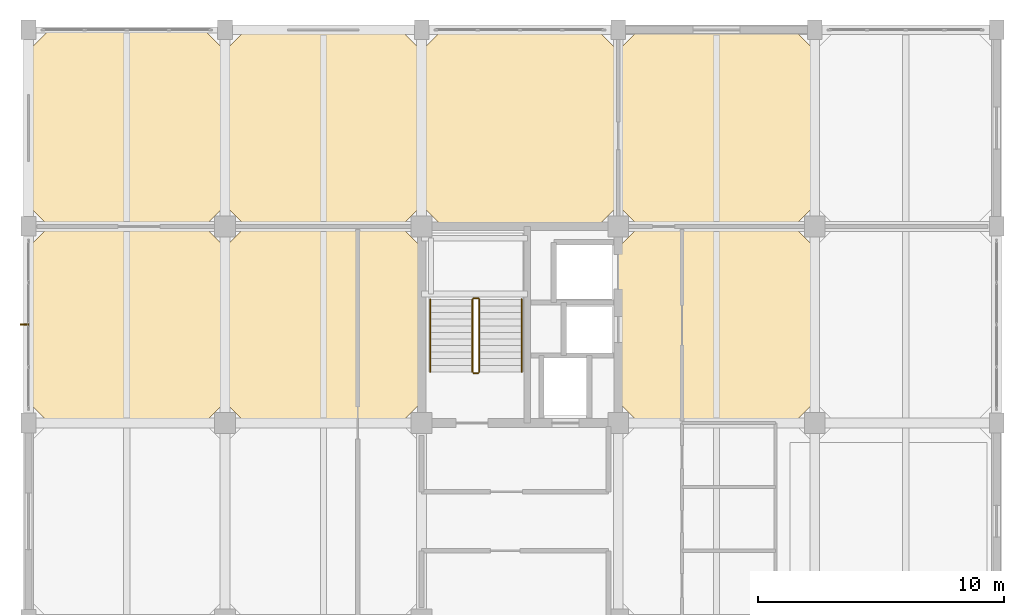
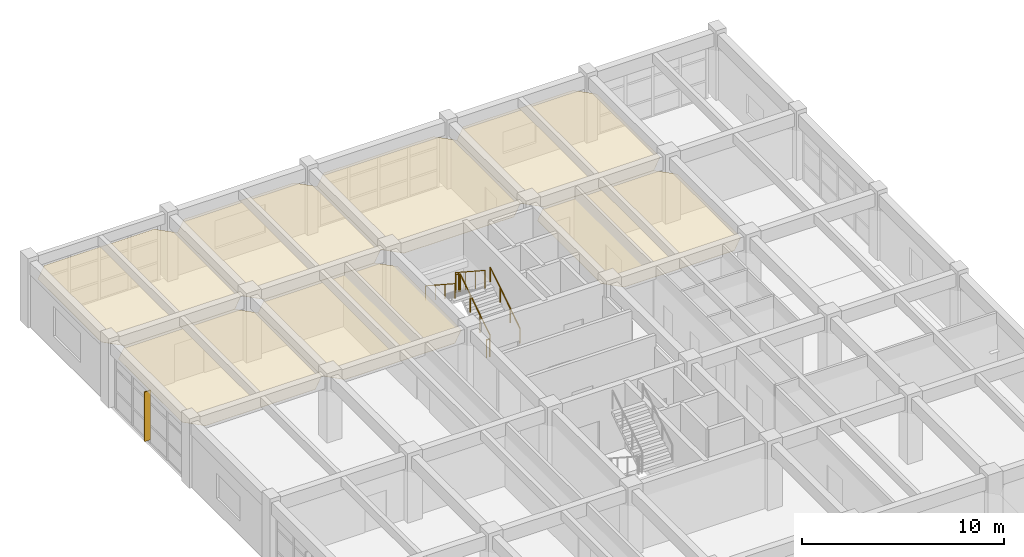
# One storey, part 26 of 27: 7 coverings, 6 railings, 1 shading device.
"""IFC4 building model written with IfcOpenShell, lengths in metres."""

from ifc_helpers import new_model, si_unit, direction, frame, origin, origin_2d, place, context, subcontext, project, spatial, polyline, rectangle, circle, outline, extrude, material, layer, layer_set, type_object, element, save


model = new_model("IFC4")

# Units and contexts
model_context = context("Model", 3, precision=1e-05, world=origin(), true_north=direction((0.0, 1.0)))
body_context = subcontext(model_context, "Body", "Model", "MODEL_VIEW")
ifc_project = project(units=[si_unit("LENGTHUNIT", "METRE"), si_unit("AREAUNIT", "SQUARE_METRE"), si_unit("VOLUMEUNIT", "CUBIC_METRE"), si_unit("PLANEANGLEUNIT", "RADIAN"), si_unit("MASSUNIT", "GRAM", prefix="KILO")], contexts=[model_context])

# Site, building, storey
site_placement = place(None, origin())
site = spatial("IfcSite", under=ifc_project, at=site_placement, CompositionType="ELEMENT")
building_placement = place(site_placement, origin())
building = spatial("IfcBuilding", under=site, at=building_placement, Name="Canggui Botanical Conservatory", CompositionType="ELEMENT")
storey_placement = place(building_placement, frame((0.0, 0.0, 23.39990234375)))
storey = spatial("IfcBuildingStorey", under=building, at=storey_placement, Name="L06", CompositionType="ELEMENT", Elevation=23.39990234375)

# Coverings
ifc_material_1 = material(Name="Mineral Fibre Acoustic Board")
ifc_layer_1 = layer(ifc_material_1, 0.014892578125, Name="Mineral Fibre Acoustic Board")
ifc_layer_set_1 = layer_set([ifc_layer_1], Name="Mineral Fibre Acoustic Board")
covering_type_1 = type_object("IfcCoveringType", Name="COV-CEIL-15", PredefinedType="CEILING", material=ifc_layer_set_1)
covering_1_placement = place(storey_placement, frame((0.0, 0.0, 3.14501953125)))
element("IfcCovering", 1, at=covering_1_placement, inside=storey, type_object=covering_type_1, Name="Suspended Acoustic Ceiling L06-138-58", PredefinedType="CEILING", context=body_context, shape_type="SweptSolid", body=[
    extrude(outline(polyline([(138.85009765625, 58.0), (145.14990234375, 58.0), (146.0, 58.85009765625), (146.0, 65.14990234375), (145.14990234375, 66.0), (138.85009765625, 66.0), (138.0, 65.14990234375), (138.0, 58.85009765625), (138.85009765625, 58.0)])), origin(), (0.0, 0.0, 1.0), 0.01513671875),
])
covering_2_placement = place(storey_placement, frame((0.0, 0.0, 3.14501953125)))
element("IfcCovering", 2, at=covering_2_placement, inside=storey, type_object=covering_type_1, Name="Suspended Acoustic Ceiling L06-146-66", PredefinedType="CEILING", context=body_context, shape_type="SweptSolid", body=[
    extrude(outline(polyline([(146.85009765625, 66.0), (153.14990234375, 66.0), (154.0, 66.85009765625), (154.0, 73.14990234375), (153.14990234375, 74.0), (146.85009765625, 74.0), (146.0, 73.14990234375), (146.0, 66.85009765625), (146.85009765625, 66.0)])), origin(), (0.0, 0.0, 1.0), 0.01513671875),
])
covering_3_placement = place(storey_placement, frame((0.0, 0.0, 3.14501953125)))
element("IfcCovering", 3, at=covering_3_placement, inside=storey, type_object=covering_type_1, Name="Suspended Acoustic Ceiling L06-162-66", PredefinedType="CEILING", context=body_context, shape_type="SweptSolid", body=[
    extrude(outline(polyline([(162.85009765625, 66.0), (169.14990234375, 66.0), (170.0, 66.85009765625), (170.0, 73.14990234375), (169.14990234375, 74.0), (162.85009765625, 74.0), (162.0, 73.14990234375), (162.0, 66.85009765625), (162.85009765625, 66.0)])), origin(), (0.0, 0.0, 1.0), 0.01513671875),
])
ifc_material_2 = material(Name="Perforated Gypsum Acoustic Panel")
ifc_layer_2 = layer(ifc_material_2, 0.02001953125, Name="Perforated Gypsum Acoustic Panel")
ifc_layer_set_2 = layer_set([ifc_layer_2], Name="Perforated Gypsum Acoustic Panel")
covering_type_2 = type_object("IfcCoveringType", Name="COV-CEIL-20", PredefinedType="CEILING", material=ifc_layer_set_2)
covering_4_placement = place(storey_placement, frame((0.0, 0.0, 3.14013671875)))
element("IfcCovering", 4, at=covering_4_placement, inside=storey, type_object=covering_type_2, Name="Suspended Acoustic Ceiling L06-138-66", PredefinedType="CEILING", context=body_context, shape_type="SweptSolid", body=[
    extrude(outline(polyline([(138.85009765625, 66.0), (145.14990234375, 66.0), (146.0, 66.85009765625), (146.0, 73.14990234375), (145.14990234375, 74.0), (138.85009765625, 74.0), (138.0, 73.14990234375), (138.0, 66.85009765625), (138.85009765625, 66.0)])), origin(), (0.0, 0.0, 1.0), 0.02001953125),
])
covering_5_placement = place(storey_placement, frame((0.0, 0.0, 3.14013671875)))
element("IfcCovering", 5, at=covering_5_placement, inside=storey, type_object=covering_type_2, Name="Suspended Acoustic Ceiling L06-146-58", PredefinedType="CEILING", context=body_context, shape_type="SweptSolid", body=[
    extrude(outline(polyline([(146.85009765625, 58.0), (153.14990234375, 58.0), (154.0, 58.85009765625), (154.0, 65.14990234375), (153.14990234375, 66.0), (146.85009765625, 66.0), (146.0, 65.14990234375), (146.0, 58.85009765625), (146.85009765625, 58.0)])), origin(), (0.0, 0.0, 1.0), 0.02001953125),
])
covering_6_placement = place(storey_placement, frame((0.0, 0.0, 3.14013671875)))
element("IfcCovering", 6, at=covering_6_placement, inside=storey, type_object=covering_type_2, Name="Suspended Acoustic Ceiling L06-154-66", PredefinedType="CEILING", context=body_context, shape_type="SweptSolid", body=[
    extrude(outline(polyline([(154.85009765625, 66.0), (161.14990234375, 66.0), (162.0, 66.85009765625), (162.0, 73.14990234375), (161.14990234375, 74.0), (154.85009765625, 74.0), (154.0, 73.14990234375), (154.0, 66.85009765625), (154.85009765625, 66.0)])), origin(), (0.0, 0.0, 1.0), 0.02001953125),
])
covering_7_placement = place(storey_placement, frame((0.0, 0.0, 3.14013671875)))
element("IfcCovering", 7, at=covering_7_placement, inside=storey, type_object=covering_type_2, Name="Suspended Acoustic Ceiling L06-162-58", PredefinedType="CEILING", context=body_context, shape_type="SweptSolid", body=[
    extrude(outline(polyline([(162.85009765625, 58.0), (169.14990234375, 58.0), (170.0, 58.85009765625), (170.0, 65.14990234375), (169.14990234375, 66.0), (162.85009765625, 66.0), (162.0, 65.14990234375), (162.0, 58.85009765625), (162.85009765625, 58.0)])), origin(), (0.0, 0.0, 1.0), 0.02001953125),
])

# Railings
ifc_material_3 = material(Name="Stainless Steel 304", Category="steel")
railing_type_1 = type_object("IfcRailingType", Name="RAIL-GUARD-1100", PredefinedType="BALUSTRADE", material=ifc_material_3)
railing_1_placement = place(storey_placement, frame((156.35009765625, 60.080078125, 0.175048828125)))
element("IfcRailing", 8, at=railing_1_placement, inside=storey, type_object=railing_type_1, Name="L06 ST-T2 stair guard 1", PredefinedType="BALUSTRADE", context=body_context, shape_type="SweptSolid", body=[
    extrude(circle(Radius=0.02392578125, at=origin_2d()), frame((0.0, 0.0, 1.076171875), z_axis=(0.0, 0.837293178872, 0.54675417933), x_axis=(-1.0, 0.0, 0.0)), (0.0, 0.0, 1.0), 3.520751953125),
    extrude(circle(Radius=0.02099609375, at=origin_2d()), origin(), (0.0, 0.0, 1.0), 1.052001953125),
    extrude(circle(Radius=0.02099609375, at=origin_2d()), frame((0.0, 0.982666015625, 0.6416015625)), (0.0, 0.0, 1.0), 1.052001953125),
    extrude(circle(Radius=0.02099609375, at=origin_2d()), frame((0.0, 1.96533203125, 1.283447265625)), (0.0, 0.0, 1.0), 1.052001953125),
    extrude(circle(Radius=0.02099609375, at=origin_2d()), frame((0.0, 2.947998046875, 1.925048828125)), (0.0, 0.0, 1.0), 1.052001953125),
])
railing_2_placement = place(storey_placement, frame((156.300048828125, 63.077880859375, 2.10009765625)))
element("IfcRailing", 9, at=railing_2_placement, inside=storey, type_object=railing_type_1, Name="L06 ST-T2 stair guard 2", PredefinedType="BALUSTRADE", context=body_context, shape_type="SweptSolid", body=[
    extrude(circle(Radius=0.02392578125, at=origin_2d()), frame((0.0, 0.0, 1.076171875), z_axis=(-1.0, 0.0, 0.0), x_axis=(0.0, -1.0, 0.0)), (0.0, 0.0, 1.0), 0.179931640625),
    extrude(circle(Radius=0.02099609375, at=origin_2d()), origin(), (0.0, 0.0, 1.0), 1.052001953125),
    extrude(circle(Radius=0.02099609375, at=origin_2d()), frame((-0.179931640625, 0.0, 0.0)), (0.0, 0.0, 1.0), 1.052001953125),
])
railing_3_placement = place(storey_placement, frame((156.070068359375, 63.028076171875, 2.275146484375)))
element("IfcRailing", 10, at=railing_3_placement, inside=storey, type_object=railing_type_1, Name="L06 ST-T2 stair guard 3", PredefinedType="BALUSTRADE", context=body_context, shape_type="SweptSolid", body=[
    extrude(circle(Radius=0.02392578125, at=origin_2d()), frame((0.0, 0.0, 1.076171875), z_axis=(0.0, -0.837293178872, 0.54675417933), x_axis=(1.0, 0.0, 0.0)), (0.0, 0.0, 1.0), 3.520751953125),
    extrude(circle(Radius=0.02099609375, at=origin_2d()), origin(), (0.0, 0.0, 1.0), 1.052001953125),
    extrude(circle(Radius=0.02099609375, at=origin_2d()), frame((0.0, -0.982666015625, 0.6416015625)), (0.0, 0.0, 1.0), 1.052001953125),
    extrude(circle(Radius=0.02099609375, at=origin_2d()), frame((0.0, -1.96533203125, 1.283447265625)), (0.0, 0.0, 1.0), 1.052001953125),
    extrude(circle(Radius=0.02099609375, at=origin_2d()), frame((0.0, -2.947998046875, 1.925048828125)), (0.0, 0.0, 1.0), 1.052001953125),
])
railing_4_placement = place(storey_placement, frame((156.300048828125, 60.030029296875, 0.0)))
element("IfcRailing", 11, at=railing_4_placement, inside=storey, type_object=railing_type_1, Name="L06 ST-T2 stair guard 4", PredefinedType="BALUSTRADE", context=body_context, shape_type="SweptSolid", body=[
    extrude(circle(Radius=0.02392578125, at=origin_2d()), frame((0.0, 0.0, 1.076171875), z_axis=(-1.0, 0.0, 0.0), x_axis=(0.0, -1.0, 0.0)), (0.0, 0.0, 1.0), 0.179931640625),
    extrude(circle(Radius=0.02099609375, at=origin_2d()), origin(), (0.0, 0.0, 1.0), 1.052001953125),
    extrude(circle(Radius=0.02099609375, at=origin_2d()), frame((-0.179931640625, 0.0, 0.0)), (0.0, 0.0, 1.0), 1.052001953125),
])
railing_type_2 = type_object("IfcRailingType", Name="RAIL-HAND-900", PredefinedType="HANDRAIL", material=ifc_material_3)
railing_5_placement = place(storey_placement, frame((158.070068359375, 60.080078125, 0.175048828125)))
element("IfcRailing", 12, at=railing_5_placement, inside=storey, type_object=railing_type_2, Name="L06 ST-T2 stair handrail 1", PredefinedType="HANDRAIL", context=body_context, shape_type="SweptSolid", body=[
    extrude(circle(Radius=0.02392578125, at=origin_2d()), frame((0.0, 0.0, 0.8759765625), z_axis=(0.0, 0.837293178872, 0.54675417933), x_axis=(-1.0, 0.0, 0.0)), (0.0, 0.0, 1.0), 3.520751953125),
    extrude(circle(Radius=0.02099609375, at=origin_2d()), origin(), (0.0, 0.0, 1.0), 0.851806640625),
    extrude(circle(Radius=0.02099609375, at=origin_2d()), frame((0.0, 0.982666015625, 0.6416015625)), (0.0, 0.0, 1.0), 0.851806640625),
    extrude(circle(Radius=0.02099609375, at=origin_2d()), frame((0.0, 1.96533203125, 1.283447265625)), (0.0, 0.0, 1.0), 0.851806640625),
    extrude(circle(Radius=0.02099609375, at=origin_2d()), frame((0.0, 2.947998046875, 1.925048828125)), (0.0, 0.0, 1.0), 0.851806640625),
])
railing_6_placement = place(storey_placement, frame((154.35009765625, 63.028076171875, 2.275146484375)))
element("IfcRailing", 13, at=railing_6_placement, inside=storey, type_object=railing_type_2, Name="L06 ST-T2 stair handrail 2", PredefinedType="HANDRAIL", context=body_context, shape_type="SweptSolid", body=[
    extrude(circle(Radius=0.02392578125, at=origin_2d()), frame((0.0, 0.0, 0.8759765625), z_axis=(0.0, -0.837293178872, 0.54675417933), x_axis=(1.0, 0.0, 0.0)), (0.0, 0.0, 1.0), 3.520751953125),
    extrude(circle(Radius=0.02099609375, at=origin_2d()), origin(), (0.0, 0.0, 1.0), 0.851806640625),
    extrude(circle(Radius=0.02099609375, at=origin_2d()), frame((0.0, -0.982666015625, 0.6416015625)), (0.0, 0.0, 1.0), 0.851806640625),
    extrude(circle(Radius=0.02099609375, at=origin_2d()), frame((0.0, -1.96533203125, 1.283447265625)), (0.0, 0.0, 1.0), 0.851806640625),
    extrude(circle(Radius=0.02099609375, at=origin_2d()), frame((0.0, -2.947998046875, 1.925048828125)), (0.0, 0.0, 1.0), 0.851806640625),
])

# Shading device
ifc_material_4 = material(Name="Anodised Aluminium", Category="aluminium")
shading_device_type = type_object("IfcShadingDeviceType", Name="SHD-FIN02", PredefinedType="AWNING", material=ifc_material_4)
shading_device_placement = place(storey_placement, frame((137.8349609375, 62.0, 0.2001953125), z_axis=(0.0, 0.0, 1.0), x_axis=(0.0, 1.0, 0.0)))
element("IfcShadingDevice", 14, at=shading_device_placement, inside=storey, type_object=shading_device_type, Name="Solar Shading Fin CW-TWR-L06-10", PredefinedType="AWNING", context=body_context, shape_type="SweptSolid", body=[
    extrude(rectangle(XDim=0.06005859375, YDim=0.360107421875, at=origin_2d()), origin(), (0.0, 0.0, 1.0), 3.0),
])

save(model, "model.ifc")
